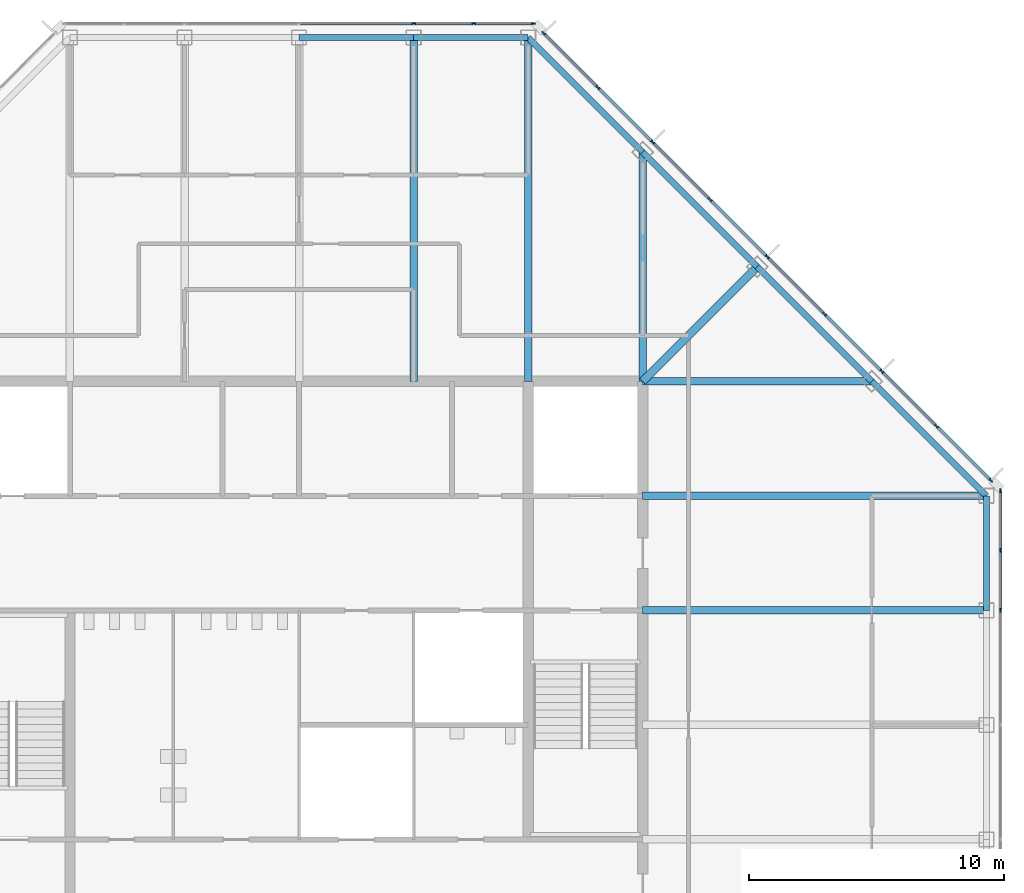
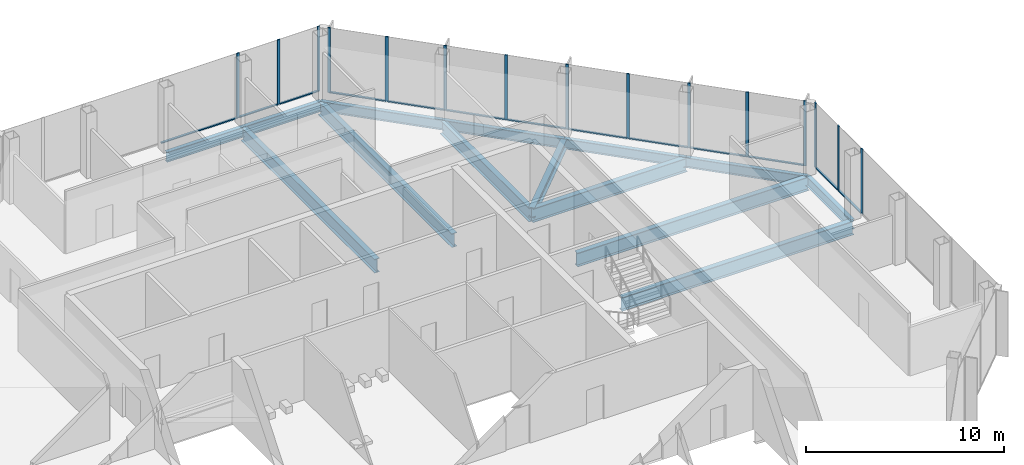
# One storey, part 7 of 14: 28 members, 14 beams, 3 elements without a shape of their own.
"""IFC4 building model written with IfcOpenShell, lengths in metres."""

from ifc_helpers import new_model, si_unit, direction, frame, origin, origin_2d, place, context, subcontext, project, spatial, rectangle, i_section, extrude, material, material_profile, profile_set, type_object, element, aggregate, save


model = new_model("IFC4")

# Units and contexts
model_context = context("Model", 3, precision=1e-05, world=origin(), true_north=direction((0.0, 1.0)))
body_context = subcontext(model_context, "Body", "Model", "MODEL_VIEW")
ifc_project = project(units=[si_unit("LENGTHUNIT", "METRE"), si_unit("AREAUNIT", "SQUARE_METRE"), si_unit("VOLUMEUNIT", "CUBIC_METRE"), si_unit("PLANEANGLEUNIT", "RADIAN"), si_unit("MASSUNIT", "GRAM", prefix="KILO")], contexts=[model_context])

# Site, building, storey
site_placement = place(None, origin())
site = spatial("IfcSite", under=ifc_project, at=site_placement, CompositionType="ELEMENT")
building_placement = place(site_placement, origin())
building = spatial("IfcBuilding", under=site, at=building_placement, Name="Corais Broadcast Tower", CompositionType="ELEMENT")
storey_placement = place(building_placement, frame((0.0, 0.0, 278.60009765625)))
storey = spatial("IfcBuildingStorey", under=building, at=storey_placement, Name="L65", CompositionType="ELEMENT", Elevation=278.60009765625)

# Beams
ifc_material_1 = material(Name="Steel ASTM A572 Grade 50", Category="steel")
ifc_material_profile_1 = material_profile(ifc_material_1, i_section(OverallWidth=0.323974609375, OverallDepth=0.611083984375, WebThickness=0.0126953125, FlangeThickness=0.01904296875, at=origin_2d()), Name="W610x155")
ifc_profile_set_1 = profile_set([ifc_material_profile_1], Name="Steel ASTM A572 Grade 50")
beam_type_1 = type_object("IfcBeamType", Name="Corner diagonal W610x155", PredefinedType="BEAM", material=ifc_profile_set_1)
beam_1_placement = place(storey_placement, frame((45.0, 45.0, -0.465576171875), z_axis=(-0.707106781187, -0.707106781187, 0.0), x_axis=(0.707106781187, -0.707106781187, 0.0)))
element("IfcBeam", 1, at=beam_1_placement, inside=storey, type_object=beam_type_1, Name="B6 L/13 to K/12", PredefinedType="BEAM", context=body_context, shape_type="SweptSolid", body=[
    extrude(i_section(OverallWidth=0.323974609375, OverallDepth=0.611083984375, WebThickness=0.0126953125, FlangeThickness=0.01904296875, at=origin_2d()), origin(), (0.0, 0.0, 1.0), 6.364013671875),
])
ifc_material_2 = material(Name="Steel ASTM A572 Grade 50", Category="steel")
ifc_material_profile_2 = material_profile(ifc_material_2, i_section(OverallWidth=0.2939453125, OverallDepth=0.85107421875, WebThickness=0.01611328125, FlangeThickness=0.02685546875, at=origin_2d()), Name="W840x226")
ifc_profile_set_2 = profile_set([ifc_material_profile_2], Name="Steel ASTM A572 Grade 50")
beam_type_2 = type_object("IfcBeamType", Name="Floor beam W840x226", PredefinedType="BEAM", material=ifc_profile_set_2)
for number, where, z_axis, x_axis, name in (
    (2, (31.5, 54.0, -0.585693359375), (0.0, -1.0, 0.0), (1.0, 0.0, 0.0), "B1 N/10 to K/10"),
    (3, (36.0, 54.0, -0.585693359375), (0.0, -1.0, 0.0), (1.0, 0.0, 0.0), "B1 N/11 to K/11"),
):
    element("IfcBeam", number, at=place(storey_placement, frame(where, z_axis=z_axis, x_axis=x_axis)), inside=storey, type_object=beam_type_2, Name=name, PredefinedType="BEAM", context=body_context, shape_type="SweptSolid", body=[
        extrude(i_section(OverallWidth=0.2939453125, OverallDepth=0.85107421875, WebThickness=0.01611328125, FlangeThickness=0.02685546875, at=origin_2d()), origin(), (0.0, 0.0, 1.0), 13.5),
    ])
for number, where, z_axis, x_axis, name in (
    (4, (40.5, 49.5, -0.585693359375), (0.0, -1.0, 0.0), (1.0, 0.0, 0.0), "B1 M/12 to K/12"),
    (5, (49.5, 40.5, -0.585693359375), (-1.0, 0.0, 0.0), (0.0, -1.0, 0.0), "B1 K/14 to K/12"),
):
    element("IfcBeam", number, at=place(storey_placement, frame(where, z_axis=z_axis, x_axis=x_axis)), inside=storey, type_object=beam_type_2, Name=name, PredefinedType="BEAM", context=body_context, shape_type="SweptSolid", body=[
        extrude(i_section(OverallWidth=0.2939453125, OverallDepth=0.85107421875, WebThickness=0.01611328125, FlangeThickness=0.02685546875, at=origin_2d()), origin(), (0.0, 0.0, 1.0), 9.0),
    ])
for number, where, z_axis, x_axis, name in (
    (6, (54.0, 31.5, -0.585693359375), (-1.0, 0.0, 0.0), (0.0, -1.0, 0.0), "B1 H/15 to H/12"),
    (7, (54.0, 36.0, -0.585693359375), (-1.0, 0.0, 0.0), (0.0, -1.0, 0.0), "B1 J/15 to J/12"),
):
    element("IfcBeam", number, at=place(storey_placement, frame(where, z_axis=z_axis, x_axis=x_axis)), inside=storey, type_object=beam_type_2, Name=name, PredefinedType="BEAM", context=body_context, shape_type="SweptSolid", body=[
        extrude(i_section(OverallWidth=0.2939453125, OverallDepth=0.85107421875, WebThickness=0.01611328125, FlangeThickness=0.02685546875, at=origin_2d()), origin(), (0.0, 0.0, 1.0), 13.5),
    ])

# Curtain wall, members
ifc_material_3 = material(Name="Aluminium and glass", Category="aluminium")
curtain_wall_type = type_object("IfcCurtainWallType", Name="Unitised fritted curtain wall CW3", PredefinedType="NOTDEFINED", material=ifc_material_3)
curtain_wall_1_placement = place(storey_placement, origin())
curtain_wall_1 = element("IfcCurtainWall", 8, at=curtain_wall_1_placement, inside=storey, type_object=curtain_wall_type, Name="CW3 curtain wall L65 4", PredefinedType="NOTDEFINED")
ifc_material_4 = material(Name="Aluminium 6063-T6", Category="aluminium")
ifc_material_profile_3 = material_profile(ifc_material_4, rectangle(XDim=0.06494140625, YDim=0.159912109375, at=origin_2d()), Name="Mullion CW3 65x160")
ifc_profile_set_3 = profile_set([ifc_material_profile_3], Name="Aluminium 6063-T6")
member_type_1 = type_object("IfcMemberType", Name="Mullion CW3 65x160", PredefinedType="MULLION", material=ifc_profile_set_3)
member_1_placement = place(storey_placement, frame((31.5, 54.550048828125, 0.0), z_axis=(0.0, 0.0, 1.0), x_axis=(0.0, 1.0, 0.0)))
member_1 = element("IfcMember", 9, at=member_1_placement, type_object=member_type_1, Name="CW3 mullion 5", PredefinedType="MULLION", context=body_context, shape_type="SweptSolid", body=[
    extrude(rectangle(XDim=0.06494140625, YDim=0.159912109375, at=origin_2d()), origin(), (0.0, 0.0, 1.0), 4.0),
])
member_2_placement = place(storey_placement, frame((33.864013671875, 54.550048828125, 0.0), z_axis=(0.0, 0.0, 1.0), x_axis=(0.0, 1.0, 0.0)))
member_2 = element("IfcMember", 10, at=member_2_placement, type_object=member_type_1, Name="CW3 mullion 6", PredefinedType="MULLION", context=body_context, shape_type="SweptSolid", body=[
    extrude(rectangle(XDim=0.06494140625, YDim=0.159912109375, at=origin_2d()), origin(), (0.0, 0.0, 1.0), 4.0),
])
member_3_placement = place(storey_placement, frame((36.1953125, 54.550048828125, 0.0), z_axis=(0.0, 0.0, 1.0), x_axis=(0.0, 1.0, 0.0)))
member_3 = element("IfcMember", 11, at=member_3_placement, type_object=member_type_1, Name="CW3 mullion 7", PredefinedType="MULLION", context=body_context, shape_type="SweptSolid", body=[
    extrude(rectangle(XDim=0.06494140625, YDim=0.159912109375, at=origin_2d()), origin(), (0.0, 0.0, 1.0), 4.0),
])

curtain_wall_2_placement = place(storey_placement, origin())
curtain_wall_2 = element("IfcCurtainWall", 12, at=curtain_wall_2_placement, inside=storey, type_object=curtain_wall_type, Name="CW3 curtain wall L65 5", PredefinedType="NOTDEFINED")
member_4_placement = place(storey_placement, frame((36.6044921875, 54.17333984375, 0.0), z_axis=(0.0, 0.0, 1.0), x_axis=(0.707106781187, 0.707106781187, 0.0)))
member_4 = element("IfcMember", 13, at=member_4_placement, type_object=member_type_1, Name="CW3 mullion 1", PredefinedType="MULLION", context=body_context, shape_type="SweptSolid", body=[
    extrude(rectangle(XDim=0.06494140625, YDim=0.159912109375, at=origin_2d()), origin(), (0.0, 0.0, 1.0), 4.0),
])
member_5_placement = place(storey_placement, frame((38.735107421875, 52.042724609375, 0.0), z_axis=(0.0, 0.0, 1.0), x_axis=(0.707106781187, 0.707106781187, 0.0)))
member_5 = element("IfcMember", 14, at=member_5_placement, type_object=member_type_1, Name="CW3 mullion 2", PredefinedType="MULLION", context=body_context, shape_type="SweptSolid", body=[
    extrude(rectangle(XDim=0.06494140625, YDim=0.159912109375, at=origin_2d()), origin(), (0.0, 0.0, 1.0), 4.0),
])
member_6_placement = place(storey_placement, frame((40.888916015625, 49.888916015625, 0.0), z_axis=(0.0, 0.0, 1.0), x_axis=(0.707106781187, 0.707106781187, 0.0)))
member_6 = element("IfcMember", 15, at=member_6_placement, type_object=member_type_1, Name="CW3 mullion 3", PredefinedType="MULLION", context=body_context, shape_type="SweptSolid", body=[
    extrude(rectangle(XDim=0.06494140625, YDim=0.159912109375, at=origin_2d()), origin(), (0.0, 0.0, 1.0), 4.0),
])
member_7_placement = place(storey_placement, frame((43.138916015625, 47.638916015625, 0.0), z_axis=(0.0, 0.0, 1.0), x_axis=(0.707106781187, 0.707106781187, 0.0)))
member_7 = element("IfcMember", 16, at=member_7_placement, type_object=member_type_1, Name="CW3 mullion 4", PredefinedType="MULLION", context=body_context, shape_type="SweptSolid", body=[
    extrude(rectangle(XDim=0.06494140625, YDim=0.159912109375, at=origin_2d()), origin(), (0.0, 0.0, 1.0), 4.0),
])
member_8_placement = place(storey_placement, frame((45.388916015625, 45.388916015625, 0.0), z_axis=(0.0, 0.0, 1.0), x_axis=(0.707106781187, 0.707106781187, 0.0)))
member_8 = element("IfcMember", 17, at=member_8_placement, type_object=member_type_1, Name="CW3 mullion 5", PredefinedType="MULLION", context=body_context, shape_type="SweptSolid", body=[
    extrude(rectangle(XDim=0.06494140625, YDim=0.159912109375, at=origin_2d()), origin(), (0.0, 0.0, 1.0), 4.0),
])
member_9_placement = place(storey_placement, frame((47.638916015625, 43.138916015625, 0.0), z_axis=(0.0, 0.0, 1.0), x_axis=(0.707106781187, 0.707106781187, 0.0)))
member_9 = element("IfcMember", 18, at=member_9_placement, type_object=member_type_1, Name="CW3 mullion 6", PredefinedType="MULLION", context=body_context, shape_type="SweptSolid", body=[
    extrude(rectangle(XDim=0.06494140625, YDim=0.159912109375, at=origin_2d()), origin(), (0.0, 0.0, 1.0), 4.0),
])
member_10_placement = place(storey_placement, frame((49.888916015625, 40.888916015625, 0.0), z_axis=(0.0, 0.0, 1.0), x_axis=(0.707106781187, 0.707106781187, 0.0)))
member_10 = element("IfcMember", 19, at=member_10_placement, type_object=member_type_1, Name="CW3 mullion 7", PredefinedType="MULLION", context=body_context, shape_type="SweptSolid", body=[
    extrude(rectangle(XDim=0.06494140625, YDim=0.159912109375, at=origin_2d()), origin(), (0.0, 0.0, 1.0), 4.0),
])
member_11_placement = place(storey_placement, frame((52.042724609375, 38.735107421875, 0.0), z_axis=(0.0, 0.0, 1.0), x_axis=(0.707106781187, 0.707106781187, 0.0)))
member_11 = element("IfcMember", 20, at=member_11_placement, type_object=member_type_1, Name="CW3 mullion 8", PredefinedType="MULLION", context=body_context, shape_type="SweptSolid", body=[
    extrude(rectangle(XDim=0.06494140625, YDim=0.159912109375, at=origin_2d()), origin(), (0.0, 0.0, 1.0), 4.0),
])
member_12_placement = place(storey_placement, frame((54.17333984375, 36.6044921875, 0.0), z_axis=(0.0, 0.0, 1.0), x_axis=(0.707106781187, 0.707106781187, 0.0)))
member_12 = element("IfcMember", 21, at=member_12_placement, type_object=member_type_1, Name="CW3 mullion 9", PredefinedType="MULLION", context=body_context, shape_type="SweptSolid", body=[
    extrude(rectangle(XDim=0.06494140625, YDim=0.159912109375, at=origin_2d()), origin(), (0.0, 0.0, 1.0), 4.0),
])

curtain_wall_3_placement = place(storey_placement, origin())
curtain_wall_3 = element("IfcCurtainWall", 22, at=curtain_wall_3_placement, inside=storey, type_object=curtain_wall_type, Name="CW3 curtain wall L65 6", PredefinedType="NOTDEFINED")
member_13_placement = place(storey_placement, frame((54.550048828125, 36.1953125, 0.0), z_axis=(0.0, 0.0, 1.0), x_axis=(1.0, 0.0, 0.0)))
member_13 = element("IfcMember", 23, at=member_13_placement, type_object=member_type_1, Name="CW3 mullion 1", PredefinedType="MULLION", context=body_context, shape_type="SweptSolid", body=[
    extrude(rectangle(XDim=0.06494140625, YDim=0.159912109375, at=origin_2d()), origin(), (0.0, 0.0, 1.0), 4.0),
])
member_14_placement = place(storey_placement, frame((54.550048828125, 33.864013671875, 0.0), z_axis=(0.0, 0.0, 1.0), x_axis=(1.0, 0.0, 0.0)))
member_14 = element("IfcMember", 24, at=member_14_placement, type_object=member_type_1, Name="CW3 mullion 2", PredefinedType="MULLION", context=body_context, shape_type="SweptSolid", body=[
    extrude(rectangle(XDim=0.06494140625, YDim=0.159912109375, at=origin_2d()), origin(), (0.0, 0.0, 1.0), 4.0),
])
member_15_placement = place(storey_placement, frame((54.550048828125, 31.5, 0.0), z_axis=(0.0, 0.0, 1.0), x_axis=(1.0, 0.0, 0.0)))
member_15 = element("IfcMember", 25, at=member_15_placement, type_object=member_type_1, Name="CW3 mullion 3", PredefinedType="MULLION", context=body_context, shape_type="SweptSolid", body=[
    extrude(rectangle(XDim=0.06494140625, YDim=0.159912109375, at=origin_2d()), origin(), (0.0, 0.0, 1.0), 4.0),
])

# Beams
ifc_material_5 = material(Name="Steel ASTM A572 Grade 50", Category="steel")
ifc_material_profile_4 = material_profile(ifc_material_5, i_section(OverallWidth=0.22998046875, OverallDepth=0.616943359375, WebThickness=0.01318359375, FlangeThickness=0.022216796875, at=origin_2d()), Name="W610x140")
ifc_profile_set_4 = profile_set([ifc_material_profile_4], Name="Steel ASTM A572 Grade 50")
beam_type_3 = type_object("IfcBeamType", Name="Spandrel W610x140", PredefinedType="BEAM", material=ifc_profile_set_4)
for number, where, z_axis, x_axis, name in (
    (26, (31.5, 54.0, -0.468505859375), (-1.0, 0.0, 0.0), (0.0, -1.0, 0.0), "SB3 N/10 to N/9"),
    (27, (36.0, 54.0, -0.468505859375), (-1.0, 0.0, 0.0), (0.0, -1.0, 0.0), "SB3 N/11 to N/10"),
):
    element("IfcBeam", number, at=place(storey_placement, frame(where, z_axis=z_axis, x_axis=x_axis)), inside=storey, type_object=beam_type_3, Name=name, PredefinedType="BEAM", context=body_context, shape_type="SweptSolid", body=[
        extrude(i_section(OverallWidth=0.22998046875, OverallDepth=0.616943359375, WebThickness=0.01318359375, FlangeThickness=0.022216796875, at=origin_2d()), origin(), (0.0, 0.0, 1.0), 4.5),
    ])
for number, where, z_axis, x_axis, name in (
    (28, (40.5, 49.5, -0.468505859375), (-0.707106781187, 0.707106781187, 0.0), (-0.707106781187, -0.707106781187, 0.0), "SB3 M/12 to N/11"),
    (29, (45.0, 45.0, -0.468505859375), (-0.707106781187, 0.707106781187, 0.0), (-0.707106781187, -0.707106781187, 0.0), "SB3 L/13 to M/12"),
    (30, (49.5, 40.5, -0.468505859375), (-0.707106781187, 0.707106781187, 0.0), (-0.707106781187, -0.707106781187, 0.0), "SB3 K/14 to L/13"),
):
    element("IfcBeam", number, at=place(storey_placement, frame(where, z_axis=z_axis, x_axis=x_axis)), inside=storey, type_object=beam_type_3, Name=name, PredefinedType="BEAM", context=body_context, shape_type="SweptSolid", body=[
        extrude(i_section(OverallWidth=0.22998046875, OverallDepth=0.616943359375, WebThickness=0.01318359375, FlangeThickness=0.022216796875, at=origin_2d()), origin(), (0.0, 0.0, 1.0), 6.364013671875),
    ])
beam_2_placement = place(storey_placement, frame((54.0, 31.5, -0.468505859375), z_axis=(0.0, 1.0, 0.0), x_axis=(-1.0, 0.0, 0.0)))
element("IfcBeam", 31, at=beam_2_placement, inside=storey, type_object=beam_type_3, Name="SB3 H/15 to J/15", PredefinedType="BEAM", context=body_context, shape_type="SweptSolid", body=[
    extrude(i_section(OverallWidth=0.22998046875, OverallDepth=0.616943359375, WebThickness=0.01318359375, FlangeThickness=0.022216796875, at=origin_2d()), origin(), (0.0, 0.0, 1.0), 4.5),
])
beam_3_placement = place(storey_placement, frame((54.0, 36.0, -0.468505859375), z_axis=(-0.707106781187, 0.707106781187, 0.0), x_axis=(-0.707106781187, -0.707106781187, 0.0)))
element("IfcBeam", 32, at=beam_3_placement, inside=storey, type_object=beam_type_3, Name="SB3 J/15 to K/14", PredefinedType="BEAM", context=body_context, shape_type="SweptSolid", body=[
    extrude(i_section(OverallWidth=0.22998046875, OverallDepth=0.616943359375, WebThickness=0.01318359375, FlangeThickness=0.022216796875, at=origin_2d()), origin(), (0.0, 0.0, 1.0), 6.364013671875),
])

# Member
ifc_material_6 = material(Name="Aluminium 6063-T6", Category="aluminium")
ifc_material_profile_5 = material_profile(ifc_material_6, rectangle(XDim=0.1201171875, YDim=0.06494140625, at=origin_2d()), Name="Transom CW3 65x120")
ifc_profile_set_5 = profile_set([ifc_material_profile_5], Name="Aluminium 6063-T6")
member_type_2 = type_object("IfcMemberType", Name="Transom CW3 65x120", PredefinedType="USERDEFINED", material=ifc_profile_set_5)
member_16_placement = place(storey_placement, frame((27.032470703125, 54.550048828125, 0.032470703125), z_axis=(1.0, 0.0, 0.0), x_axis=(0.0, 1.0, 0.0)))
member_16 = element("IfcMember", 33, at=member_16_placement, type_object=member_type_2, Name="CW3 transom 4.1", ObjectType="TRANSOM", PredefinedType="USERDEFINED", context=body_context, shape_type="SweptSolid", body=[
    extrude(rectangle(XDim=0.1201171875, YDim=0.06494140625, at=origin_2d()), origin(), (0.0, 0.0, 1.0), 4.43505859375),
])

member_17_placement = place(storey_placement, frame((31.532470703125, 54.550048828125, 0.032470703125), z_axis=(1.0, 0.0, 0.0), x_axis=(0.0, 1.0, 0.0)))
member_17 = element("IfcMember", 34, at=member_17_placement, type_object=member_type_2, Name="CW3 transom 5.1", ObjectType="TRANSOM", PredefinedType="USERDEFINED", context=body_context, shape_type="SweptSolid", body=[
    extrude(rectangle(XDim=0.1201171875, YDim=0.06494140625, at=origin_2d()), origin(), (0.0, 0.0, 1.0), 2.298828125),
])

member_18_placement = place(storey_placement, frame((33.896484375, 54.550048828125, 0.032470703125), z_axis=(1.0, 0.0, 0.0), x_axis=(0.0, 1.0, 0.0)))
member_18 = element("IfcMember", 35, at=member_18_placement, type_object=member_type_2, Name="CW3 transom 6.1", ObjectType="TRANSOM", PredefinedType="USERDEFINED", context=body_context, shape_type="SweptSolid", body=[
    extrude(rectangle(XDim=0.1201171875, YDim=0.06494140625, at=origin_2d()), origin(), (0.0, 0.0, 1.0), 2.266357421875),
])

aggregate(curtain_wall_1, [member_1, member_2, member_3, member_16, member_17, member_18])

member_19_placement = place(storey_placement, frame((36.62744140625, 54.150390625, 0.032470703125), z_axis=(0.707106781187, -0.707106781187, 0.0), x_axis=(0.707106781187, 0.707106781187, 0.0)))
member_19 = element("IfcMember", 36, at=member_19_placement, type_object=member_type_2, Name="CW3 transom 1.1", ObjectType="TRANSOM", PredefinedType="USERDEFINED", context=body_context, shape_type="SweptSolid", body=[
    extrude(rectangle(XDim=0.1201171875, YDim=0.06494140625, at=origin_2d()), origin(), (0.0, 0.0, 1.0), 2.9482421875),
])

member_20_placement = place(storey_placement, frame((38.758056640625, 52.019775390625, 0.032470703125), z_axis=(0.707106781187, -0.707106781187, 0.0), x_axis=(0.707106781187, 0.707106781187, 0.0)))
member_20 = element("IfcMember", 37, at=member_20_placement, type_object=member_type_2, Name="CW3 transom 2.1", ObjectType="TRANSOM", PredefinedType="USERDEFINED", context=body_context, shape_type="SweptSolid", body=[
    extrude(rectangle(XDim=0.1201171875, YDim=0.06494140625, at=origin_2d()), origin(), (0.0, 0.0, 1.0), 2.98095703125),
])

member_21_placement = place(storey_placement, frame((40.911865234375, 49.865966796875, 0.032470703125), z_axis=(0.707106781187, -0.707106781187, 0.0), x_axis=(0.707106781187, 0.707106781187, 0.0)))
member_21 = element("IfcMember", 38, at=member_21_placement, type_object=member_type_2, Name="CW3 transom 3.1", ObjectType="TRANSOM", PredefinedType="USERDEFINED", context=body_context, shape_type="SweptSolid", body=[
    extrude(rectangle(XDim=0.1201171875, YDim=0.06494140625, at=origin_2d()), origin(), (0.0, 0.0, 1.0), 3.1171875),
])

member_22_placement = place(storey_placement, frame((43.161865234375, 47.615966796875, 0.032470703125), z_axis=(0.707106781187, -0.707106781187, 0.0), x_axis=(0.707106781187, 0.707106781187, 0.0)))
member_22 = element("IfcMember", 39, at=member_22_placement, type_object=member_type_2, Name="CW3 transom 4.1", ObjectType="TRANSOM", PredefinedType="USERDEFINED", context=body_context, shape_type="SweptSolid", body=[
    extrude(rectangle(XDim=0.1201171875, YDim=0.06494140625, at=origin_2d()), origin(), (0.0, 0.0, 1.0), 3.1171875),
])

member_23_placement = place(storey_placement, frame((45.411865234375, 45.365966796875, 0.032470703125), z_axis=(0.707106781187, -0.707106781187, 0.0), x_axis=(0.707106781187, 0.707106781187, 0.0)))
member_23 = element("IfcMember", 40, at=member_23_placement, type_object=member_type_2, Name="CW3 transom 5.1", ObjectType="TRANSOM", PredefinedType="USERDEFINED", context=body_context, shape_type="SweptSolid", body=[
    extrude(rectangle(XDim=0.1201171875, YDim=0.06494140625, at=origin_2d()), origin(), (0.0, 0.0, 1.0), 3.1171875),
])

member_24_placement = place(storey_placement, frame((47.661865234375, 43.115966796875, 0.032470703125), z_axis=(0.707106781187, -0.707106781187, 0.0), x_axis=(0.707106781187, 0.707106781187, 0.0)))
member_24 = element("IfcMember", 41, at=member_24_placement, type_object=member_type_2, Name="CW3 transom 6.1", ObjectType="TRANSOM", PredefinedType="USERDEFINED", context=body_context, shape_type="SweptSolid", body=[
    extrude(rectangle(XDim=0.1201171875, YDim=0.06494140625, at=origin_2d()), origin(), (0.0, 0.0, 1.0), 3.1171875),
])

member_25_placement = place(storey_placement, frame((49.911865234375, 40.865966796875, 0.032470703125), z_axis=(0.707065828661, -0.70714773134, 0.0), x_axis=(0.70714773134, 0.707065828661, 0.0)))
member_25 = element("IfcMember", 42, at=member_25_placement, type_object=member_type_2, Name="CW3 transom 7.1", ObjectType="TRANSOM", PredefinedType="USERDEFINED", context=body_context, shape_type="SweptSolid", body=[
    extrude(rectangle(XDim=0.1201171875, YDim=0.06494140625, at=origin_2d()), origin(), (0.0, 0.0, 1.0), 2.98095703125),
])

member_26_placement = place(storey_placement, frame((52.065673828125, 38.712158203125, 0.032470703125), z_axis=(0.707106781187, -0.707106781187, 0.0), x_axis=(0.707106781187, 0.707106781187, 0.0)))
member_26 = element("IfcMember", 43, at=member_26_placement, type_object=member_type_2, Name="CW3 transom 8.1", ObjectType="TRANSOM", PredefinedType="USERDEFINED", context=body_context, shape_type="SweptSolid", body=[
    extrude(rectangle(XDim=0.1201171875, YDim=0.06494140625, at=origin_2d()), origin(), (0.0, 0.0, 1.0), 2.9482421875),
])

aggregate(curtain_wall_2, [member_4, member_5, member_6, member_7, member_8, member_9, member_10, member_11, member_12, member_19, member_20, member_21, member_22, member_23, member_24, member_25, member_26])

member_27_placement = place(storey_placement, frame((54.550048828125, 36.162841796875, 0.032470703125), z_axis=(0.0, -1.0, 0.0), x_axis=(1.0, 0.0, 0.0)))
member_27 = element("IfcMember", 44, at=member_27_placement, type_object=member_type_2, Name="CW3 transom 1.1", ObjectType="TRANSOM", PredefinedType="USERDEFINED", context=body_context, shape_type="SweptSolid", body=[
    extrude(rectangle(XDim=0.1201171875, YDim=0.06494140625, at=origin_2d()), origin(), (0.0, 0.0, 1.0), 2.266357421875),
])

member_28_placement = place(storey_placement, frame((54.550048828125, 33.831298828125, 0.032470703125), z_axis=(0.0, -1.0, 0.0), x_axis=(1.0, 0.0, 0.0)))
member_28 = element("IfcMember", 45, at=member_28_placement, type_object=member_type_2, Name="CW3 transom 2.1", ObjectType="TRANSOM", PredefinedType="USERDEFINED", context=body_context, shape_type="SweptSolid", body=[
    extrude(rectangle(XDim=0.1201171875, YDim=0.06494140625, at=origin_2d()), origin(), (0.0, 0.0, 1.0), 2.298828125),
])

aggregate(curtain_wall_3, [member_13, member_14, member_15, member_27, member_28])

save(model, "model.ifc")
